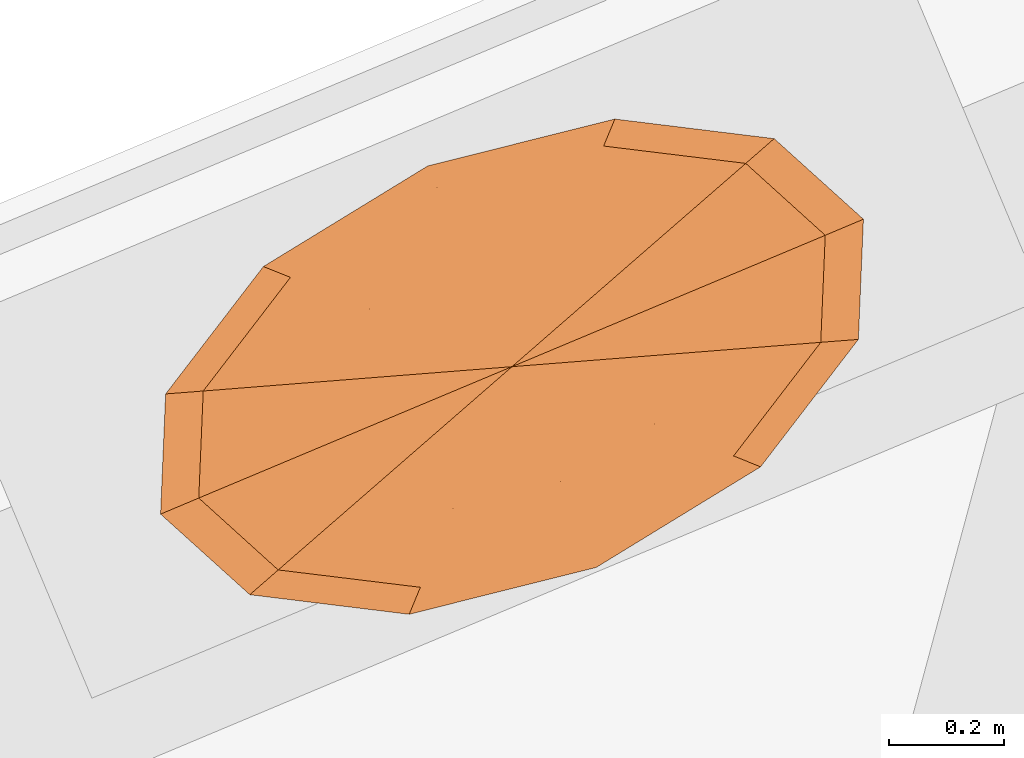
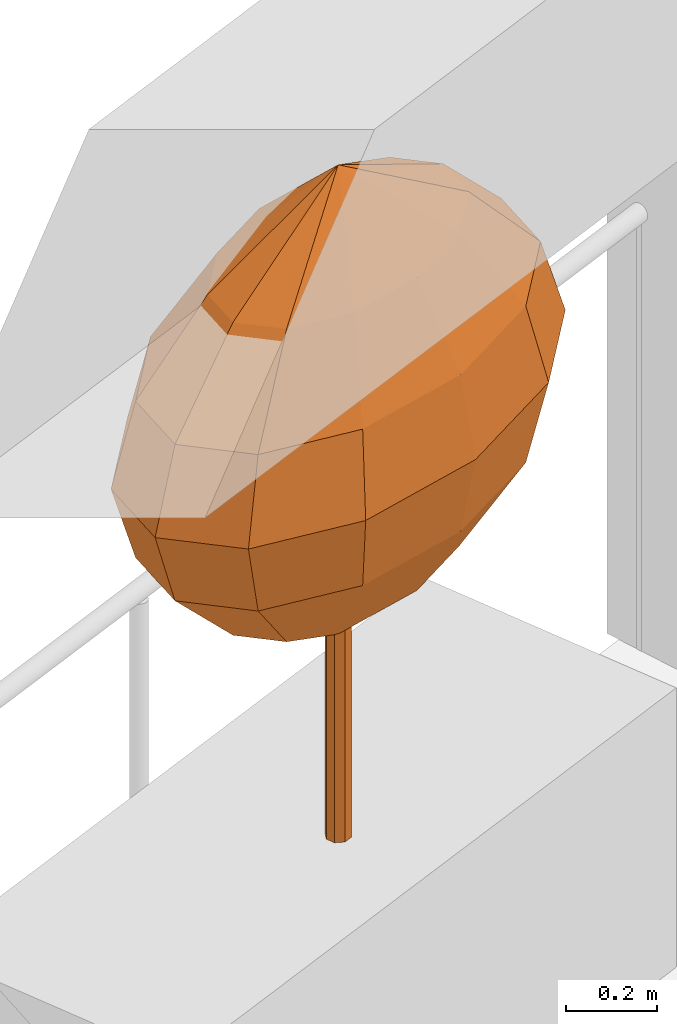
# One storey, part 12 of 12: 1 geographic element.
"""IFC4 building model written with IfcOpenShell, lengths in metres."""

import ifcopenshell
import ifcopenshell.guid

model = None  # the IFC model being written
_history = None  # IfcOwnerHistory: only IFC2X3 demands one
_inside = {}  # id of a spatial element -> (the spatial element, [elements in it])
_under = {}  # id of a project, library or spatial element -> (it, [spatial elements below it])
_declared = {}  # id of a project -> (the project, [libraries it declares])
_typed = {}  # id of a type object -> (the type object, [elements of that type])
_made_of = {}  # id of a material, layer set ... -> (it, [elements and type objects made of it])


def new_model(schema):
    """Start an empty IFC model of exactly this schema.

    Asked for "IFC4X3", IfcOpenShell would pick the latest addendum, in which some entities
    have other attributes; the version numbers below select the first issue.
    IFC2X3 requires an IfcOwnerHistory on every rooted entity: one is made here for all.
    """
    global model, _history
    if schema == "IFC4X3":
        model = ifcopenshell.file(schema_version=(4, 3, 0, 0))
    else:
        model = ifcopenshell.file(schema=schema)
    _inside.clear()
    _under.clear()
    _declared.clear()
    _typed.clear()
    _made_of.clear()
    _history = None
    if model.schema == "IFC2X3":
        org = make("IfcOrganization", Name="unknown")
        user = make(
            "IfcPersonAndOrganization",
            ThePerson=make("IfcPerson", FamilyName="unknown"),
            TheOrganization=org,
        )
        app = make(
            "IfcApplication",
            ApplicationDeveloper=org,
            Version="unknown",
            ApplicationFullName="unknown",
            ApplicationIdentifier="unknown",
        )
        _history = make(
            "IfcOwnerHistory",
            OwningUser=user,
            OwningApplication=app,
            ChangeAction="ADDED",
            CreationDate=0,
        )
    return model


def make(cls, **values):
    """One entity of the class cls with the attributes given. An attribute that is None is left unset."""
    return model.create_entity(
        cls, **{name: value for name, value in values.items() if value is not None}
    )


def rooted(cls, **values):
    """An entity with a GlobalId (a new one), such as an element, a storey or a relation."""
    return make(cls, GlobalId=ifcopenshell.guid.new(), OwnerHistory=_history, **values)


def si_unit(unit_type, name, prefix=None):
    """IfcSIUnit, for example si_unit("LENGTHUNIT", "METRE", prefix="MILLI")."""
    return make("IfcSIUnit", UnitType=unit_type, Prefix=prefix, Name=name)


def assignment(units):
    """IfcUnitAssignment: the units of a project."""
    return None if units is None else make("IfcUnitAssignment", Units=units)


def point(xyz):
    """IfcCartesianPoint."""
    return None if xyz is None else make("IfcCartesianPoint", Coordinates=xyz)


def direction(xyz):
    """IfcDirection."""
    return None if xyz is None else make("IfcDirection", DirectionRatios=xyz)


def frame(location, z_axis=None, x_axis=None):
    """IfcAxis2Placement3D, a coordinate frame: its origin and axes. An axis left out is left unset."""
    return make(
        "IfcAxis2Placement3D",
        Location=point(location),
        Axis=direction(z_axis),
        RefDirection=direction(x_axis),
    )


def origin():
    """The frame at (0, 0, 0) with its axes left unset."""
    return frame((0.0, 0.0, 0.0))


def place(relative_to, where):
    """IfcLocalPlacement: puts the frame where relative to a parent placement (None: the world)."""
    return make(
        "IfcLocalPlacement", PlacementRelTo=relative_to, RelativePlacement=where
    )


def context(
    kind, dimensions, precision=None, world=None, true_north=None, identifier=None
):
    """IfcGeometricRepresentationContext, for example the 3D "Model" context."""
    return make(
        "IfcGeometricRepresentationContext",
        ContextIdentifier=identifier,
        ContextType=kind,
        CoordinateSpaceDimension=dimensions,
        Precision=precision,
        WorldCoordinateSystem=world,
        TrueNorth=true_north,
    )


def subcontext(parent, identifier, kind, view, scale=None):
    """IfcGeometricRepresentationSubContext, for example "Body" below "Model"."""
    return make(
        "IfcGeometricRepresentationSubContext",
        ContextIdentifier=identifier,
        ContextType=kind,
        ParentContext=parent,
        TargetScale=scale,
        TargetView=view,
    )


def project(units=None, contexts=None):
    """IfcProject with its units and contexts."""
    return rooted(
        "IfcProject",
        Name="project",
        RepresentationContexts=contexts,
        UnitsInContext=assignment(units),
    )


def spatial(cls, under=None, at=None, **own):
    """A site, building, storey or space (cls), placed at a placement, below another one or the project."""
    s = rooted(cls, ObjectPlacement=at, **own)
    if under is not None:
        _under.setdefault(under.id(), (under, []))[1].append(s)
    return s


def faces_of(points, faces, orient=None, outer=None):
    """IfcFace entities. A face is a list of loops; a loop is a list of indices into points, from 0.

    orient and outer hold one flag for each loop. By default every Orientation is true, the
    first loop of a face is its IfcFaceOuterBound and the others are IfcFaceBound.
    """
    made = []
    for i, loops in enumerate(faces):
        bounds = []
        for j, loop in enumerate(loops):
            is_outer = j == 0 if outer is None else outer[i][j]
            bounds.append(
                make(
                    "IfcFaceOuterBound" if is_outer else "IfcFaceBound",
                    Bound=make("IfcPolyLoop", Polygon=[points[k] for k in loop]),
                    Orientation=True if orient is None else orient[i][j],
                )
            )
        made.append(make("IfcFace", Bounds=bounds))
    return made


def faceted_brep(points, faces, orient=None, outer=None, voids=None):
    """IfcFacetedBrep: a solid bounded by flat faces; with voids (closed shells), ...WithVoids."""
    shared = [point(p) for p in points]
    hull = make("IfcClosedShell", CfsFaces=faces_of(shared, faces, orient, outer))
    if voids is None:
        return make("IfcFacetedBrep", Outer=hull)
    return make(
        "IfcFacetedBrepWithVoids",
        Outer=hull,
        Voids=[
            make(cls, CfsFaces=faces_of(shared, fs, o, b)) for cls, fs, o, b in voids
        ],
    )


def shape(context_of_items, identifier, shape_type, items):
    """IfcShapeRepresentation: the items that make up one representation, for example the "Body"."""
    return make(
        "IfcShapeRepresentation",
        ContextOfItems=context_of_items,
        RepresentationIdentifier=identifier,
        RepresentationType=shape_type,
        Items=items,
    )


def material(Name=None, Category=None):
    """IfcMaterial."""
    return make("IfcMaterial", Name=Name, Category=Category)


def constituent(of_material, Name=None, Category=None, fraction=None):
    """IfcMaterialConstituent: one of the materials an element consists of."""
    return make(
        "IfcMaterialConstituent",
        Name=Name,
        Material=of_material,
        Fraction=fraction,
        Category=Category,
    )


def constituent_set(constituents=None, Name=None):
    """IfcMaterialConstituentSet."""
    return make(
        "IfcMaterialConstituentSet", Name=Name, MaterialConstituents=constituents
    )


def made_of(thing, what):
    """Note that an element or type object is made of a material, layer set ...; save() writes the relation."""
    if what is not None:
        _made_of.setdefault(what.id(), (what, []))[1].append(thing)
    return thing


def type_object(cls, material=None, **own):
    """A type object (cls), such as IfcWallType, which elements share."""
    return made_of(rooted(cls, **own), material)


def element(
    cls,
    number,
    at=None,
    inside=None,
    cuts=None,
    type_object=None,
    material=None,
    context=None,
    identifier="Body",
    shape_type=None,
    held_by="IfcProductDefinitionShape",
    body=None,
    shapes=None,
    **own,
):
    """One element of the class cls, such as IfcWall. Its Tag is "e" and its number.

    at: its placement. inside: the storey or other place that contains it. cuts: it is an
    opening in that element (IfcRelVoidsElement). A single representation is given by context,
    identifier, shape_type and body (its items); several are given by shapes. held_by: the class
    of the entity that holds the representations. save() writes the other relations.
    """
    e = rooted(cls, Tag="e%d" % number, ObjectPlacement=at, **own)
    if body is not None:
        shapes = [shape(context, identifier, shape_type, body)]
    if shapes is not None:
        e.Representation = make(held_by, Representations=shapes)
    if inside is not None:
        _inside.setdefault(inside.id(), (inside, []))[1].append(e)
    if cuts is not None:
        rooted(
            "IfcRelVoidsElement", RelatingBuildingElement=cuts, RelatedOpeningElement=e
        )
    if type_object is not None:
        _typed.setdefault(type_object.id(), (type_object, []))[1].append(e)
    return made_of(e, material)


def aggregate(whole, parts):
    """IfcRelAggregates: a whole, such as a stair, and the parts it consists of."""
    return rooted("IfcRelAggregates", RelatingObject=whole, RelatedObjects=parts)


def save(model, path):
    """Write the relations noted so far, then the file.

    IfcRelAggregates (storeys below a building ...), IfcRelContainedInSpatialStructure (elements
    in a storey), IfcRelDefinesByType, IfcRelAssociatesMaterial and IfcRelDeclares: one each for
    every whole, place, type object, material and project.
    """
    for whole, parts in _under.values():
        aggregate(whole, parts)
    for where, things in _inside.values():
        rooted(
            "IfcRelContainedInSpatialStructure",
            RelatedElements=things,
            RelatingStructure=where,
        )
    for kind, things in _typed.values():
        rooted("IfcRelDefinesByType", RelatedObjects=things, RelatingType=kind)
    for what, things in _made_of.values():
        rooted("IfcRelAssociatesMaterial", RelatedObjects=things, RelatingMaterial=what)
    for by, libraries in _declared.values():
        rooted("IfcRelDeclares", RelatingContext=by, RelatedDefinitions=libraries)
    model.write(path)


model = new_model("IFC4")

# Units and contexts
model_context = context("Model", 3, precision=1e-05, world=origin(), true_north=direction((0.0, 1.0)))
body_context = subcontext(model_context, "Body", "Model", "MODEL_VIEW")
ifc_project = project(units=[si_unit("LENGTHUNIT", "METRE"), si_unit("AREAUNIT", "SQUARE_METRE"), si_unit("VOLUMEUNIT", "CUBIC_METRE"), si_unit("PLANEANGLEUNIT", "RADIAN"), si_unit("MASSUNIT", "GRAM", prefix="KILO")], contexts=[model_context])

# Site, building, storey
site_placement = place(None, origin())
site = spatial("IfcSite", under=ifc_project, at=site_placement, CompositionType="ELEMENT")
building_placement = place(site_placement, origin())
building = spatial("IfcBuilding", under=site, at=building_placement, Name="Taillehof Tower", CompositionType="ELEMENT")
storey_placement = place(building_placement, frame((0.0, 0.0, 209.0)))
storey = spatial("IfcBuildingStorey", under=building, at=storey_placement, Name="L59", CompositionType="ELEMENT", Elevation=209.0)

# Geographic element
ifc_material_1 = material(Name="Tree bark", Category="timber")
ifc_constituent_1 = constituent(ifc_material_1, Name="Trunk", Category="timber")
ifc_material_2 = material(Name="Tree foliage")
ifc_constituent_2 = constituent(ifc_material_2, Name="Crown")
ifc_constituent_set = constituent_set(constituents=[ifc_constituent_1, ifc_constituent_2], Name="Tree TR4 Sea buckthorn standard")
geographic_element_type = type_object("IfcGeographicElementType", Name="Tree TR4 Sea buckthorn standard", PredefinedType="USERDEFINED", material=ifc_constituent_set)
geographic_element_placement = place(storey_placement, frame((-10.2373046875, 22.017822265625, 0.75)))
element("IfcGeographicElement", 1, at=geographic_element_placement, inside=storey, type_object=geographic_element_type, Name="Tree TR4 Sea buckthorn standard", ObjectType="TREE", PredefinedType="USERDEFINED", context=body_context, shape_type="Brep", body=[
    faceted_brep([(0.030029296875, 0.0, 0.0), (0.021240234375, 0.021240234375, 0.0), (0.021240234375, 0.021240234375, 0.98095703125), (0.030029296875, 0.0, 0.98095703125), (0.0, 0.030029296875, 0.0), (0.0, 0.030029296875, 0.98095703125), (-0.021240234375, 0.021240234375, 0.0), (-0.021240234375, 0.021240234375, 0.98095703125), (-0.030029296875, 0.0, 0.0), (-0.030029296875, 0.0, 0.98095703125), (-0.021240234375, -0.021240234375, 0.0), (-0.021240234375, -0.021240234375, 0.98095703125), (0.0, -0.030029296875, 0.0), (0.0, -0.030029296875, 0.98095703125), (0.021240234375, -0.021240234375, 0.0), (0.021240234375, -0.021240234375, 0.98095703125)], [[[0, 1, 2, 3]], [[1, 4, 5, 2]], [[4, 6, 7, 5]], [[6, 8, 9, 7]], [[8, 10, 11, 9]], [[10, 12, 13, 11]], [[12, 14, 15, 13]], [[14, 0, 3, 15]], [[14, 12, 10, 8, 6, 4, 1, 0]], [[3, 2, 5, 7, 9, 11, 13, 15]]]),
    faceted_brep([(0.0, 0.0, 0.5400390625), (-0.2626953125, -0.228515625, 0.75), (-0.352294921875, -0.147705078125, 0.75), (-0.10302734375, -0.248046875, 0.75), (0.08447265625, -0.201171875, 0.75), (0.249267578125, -0.100341796875, 0.75), (0.34716796875, 0.02734375, 0.75), (0.352294921875, 0.147705078125, 0.75), (0.2626953125, 0.228515625, 0.75), (0.10302734375, 0.248046875, 0.75), (-0.08447265625, 0.201171875, 0.75), (-0.249267578125, 0.100341796875, 0.75), (-0.34716796875, -0.02734375, 0.75), (-0.407958984375, -0.354736328125, 0.9599609375), (-0.546630859375, -0.229248046875, 0.9599609375), (-0.159912109375, -0.385009765625, 0.9599609375), (0.131103515625, -0.312255859375, 0.9599609375), (0.38671875, -0.15576171875, 0.9599609375), (0.538818359375, 0.04248046875, 0.9599609375), (0.546630859375, 0.229248046875, 0.9599609375), (0.407958984375, 0.354736328125, 0.9599609375), (0.159912109375, 0.385009765625, 0.9599609375), (-0.131103515625, 0.312255859375, 0.9599609375), (-0.38671875, 0.15576171875, 0.9599609375), (-0.538818359375, -0.04248046875, 0.9599609375), (-0.45751953125, -0.39794921875, 1.169921875), (-0.61328125, -0.25732421875, 1.169921875), (-0.179443359375, -0.43212890625, 1.169921875), (0.14697265625, -0.350341796875, 1.169921875), (0.433837890625, -0.1748046875, 1.169921875), (0.6044921875, 0.047607421875, 1.169921875), (0.61328125, 0.25732421875, 1.169921875), (0.45751953125, 0.39794921875, 1.169921875), (0.179443359375, 0.43212890625, 1.169921875), (-0.14697265625, 0.350341796875, 1.169921875), (-0.433837890625, 0.1748046875, 1.169921875), (-0.6044921875, -0.047607421875, 1.169921875), (-0.407958984375, -0.354736328125, 1.3798828125), (-0.546630859375, -0.229248046875, 1.3798828125), (-0.159912109375, -0.385009765625, 1.3798828125), (0.131103515625, -0.312255859375, 1.3798828125), (0.38671875, -0.15576171875, 1.3798828125), (0.538818359375, 0.04248046875, 1.3798828125), (0.546630859375, 0.229248046875, 1.3798828125), (0.407958984375, 0.354736328125, 1.3798828125), (0.159912109375, 0.385009765625, 1.3798828125), (-0.131103515625, 0.312255859375, 1.3798828125), (-0.38671875, 0.15576171875, 1.3798828125), (-0.538818359375, -0.04248046875, 1.3798828125), (-0.2626953125, -0.228515625, 1.590087890625), (-0.352294921875, -0.147705078125, 1.590087890625), (-0.10302734375, -0.248046875, 1.590087890625), (0.08447265625, -0.201171875, 1.590087890625), (0.249267578125, -0.100341796875, 1.590087890625), (0.34716796875, 0.02734375, 1.590087890625), (0.352294921875, 0.147705078125, 1.590087890625), (0.2626953125, 0.228515625, 1.590087890625), (0.10302734375, 0.248046875, 1.590087890625), (-0.08447265625, 0.201171875, 1.590087890625), (-0.249267578125, 0.100341796875, 1.590087890625), (-0.34716796875, -0.02734375, 1.590087890625), (0.0, 0.0, 1.800048828125)], [[[0, 1, 2]], [[0, 3, 1]], [[0, 4, 3]], [[0, 5, 4]], [[0, 6, 5]], [[0, 7, 6]], [[0, 8, 7]], [[0, 9, 8]], [[0, 10, 9]], [[0, 11, 10]], [[0, 12, 11]], [[0, 2, 12]], [[2, 1, 13, 14]], [[1, 3, 15, 13]], [[3, 4, 16, 15]], [[4, 5, 17, 16]], [[5, 6, 18, 17]], [[6, 7, 19, 18]], [[7, 8, 20, 19]], [[8, 9, 21, 20]], [[9, 10, 22, 21]], [[10, 11, 23, 22]], [[11, 12, 24, 23]], [[12, 2, 14, 24]], [[14, 13, 25, 26]], [[13, 15, 27, 25]], [[15, 16, 28, 27]], [[16, 17, 29, 28]], [[17, 18, 30, 29]], [[18, 19, 31, 30]], [[19, 20, 32, 31]], [[20, 21, 33, 32]], [[21, 22, 34, 33]], [[22, 23, 35, 34]], [[23, 24, 36, 35]], [[24, 14, 26, 36]], [[26, 25, 37, 38]], [[25, 27, 39, 37]], [[27, 28, 40, 39]], [[28, 29, 41, 40]], [[29, 30, 42, 41]], [[30, 31, 43, 42]], [[31, 32, 44, 43]], [[32, 33, 45, 44]], [[33, 34, 46, 45]], [[34, 35, 47, 46]], [[35, 36, 48, 47]], [[36, 26, 38, 48]], [[38, 37, 49, 50]], [[37, 39, 51, 49]], [[39, 40, 52, 51]], [[40, 41, 53, 52]], [[41, 42, 54, 53]], [[42, 43, 55, 54]], [[43, 44, 56, 55]], [[44, 45, 57, 56]], [[45, 46, 58, 57]], [[46, 47, 59, 58]], [[47, 48, 60, 59]], [[48, 38, 50, 60]], [[50, 49, 61]], [[49, 51, 61]], [[51, 52, 61]], [[52, 53, 61]], [[53, 54, 61]], [[54, 55, 61]], [[55, 56, 61]], [[56, 57, 61]], [[57, 58, 61]], [[58, 59, 61]], [[59, 60, 61]], [[60, 50, 61]]]),
])

save(model, "model.ifc")
